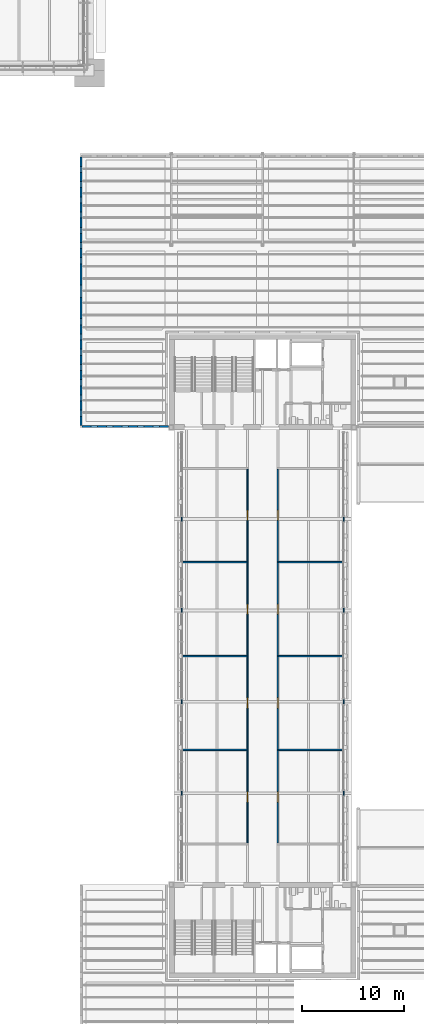
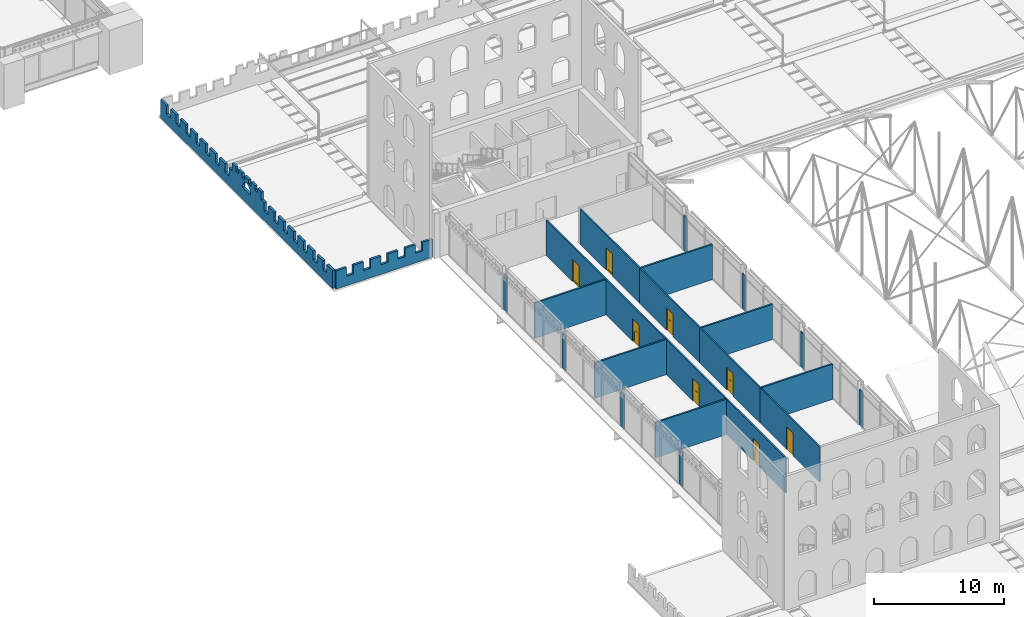
# One storey, part 106 of 153: 24 walls, 8 doors, 8 openings.
"""IFC4 building model written with IfcOpenShell, lengths in metres."""

from ifc_helpers import new_model, si_unit, direction, frame, frame_2d, origin, place, context, subcontext, project, spatial, polyline, rectangle, outline, extrude, material, layer, layer_set, type_object, element, fill, save


model = new_model("IFC4")

# Units and contexts
model_context = context("Model", 3, precision=1e-05, world=origin(), true_north=direction((0.0, 1.0)))
body_context = subcontext(model_context, "Body", "Model", "MODEL_VIEW")
ifc_project = project(units=[si_unit("LENGTHUNIT", "METRE"), si_unit("AREAUNIT", "SQUARE_METRE"), si_unit("VOLUMEUNIT", "CUBIC_METRE"), si_unit("PLANEANGLEUNIT", "RADIAN"), si_unit("MASSUNIT", "GRAM", prefix="KILO")], contexts=[model_context])

# Site, building, storey
site_placement = place(None, origin())
site = spatial("IfcSite", under=ifc_project, at=site_placement, CompositionType="ELEMENT")
building_placement = place(site_placement, origin())
building = spatial("IfcBuilding", under=site, at=building_placement, Name="Baradari Gate Terminus", CompositionType="ELEMENT")
storey_placement = place(building_placement, frame((0.0, 0.0, 11.699951171875)))
storey = spatial("IfcBuildingStorey", under=building, at=storey_placement, Name="L02", CompositionType="ELEMENT", Elevation=11.699951171875)

# Wall, opening, door
ifc_material_1 = material(Name="Gypsum board")
ifc_layer_1 = layer(ifc_material_1, 0.125)
ifc_layer_set_1 = layer_set([ifc_layer_1], Name="Gypsum board")
wall_type_1 = type_object("IfcWallType", Name="Corridor partition PT-5 125 EI 30", PredefinedType="PARTITIONING", material=ifc_layer_set_1)
wall_1_placement = place(storey_placement, frame((79.5, 40.10009765625, 0.0), z_axis=(0.0, 0.0, 1.0), x_axis=(0.0, 1.0, 0.0)))
wall_1 = element("IfcWall", 1, at=wall_1_placement, inside=storey, type_object=wall_type_1, Name="PT-5 partition Corridor (Gate Spine) / Gate Office 2.01", PredefinedType="PARTITIONING", context=body_context, shape_type="SweptSolid", body=[
    extrude(rectangle(XDim=9.14990234375, YDim=0.125, at=frame_2d((4.574951171875, 0.0))), origin(), (0.0, 0.0, 1.0), 3.287109375),
])
opening_1_placement = place(wall_1_placement, frame((4.02490234375, 0.0, 0.0)))
opening_1 = element("IfcOpeningElement", 2, at=opening_1_placement, cuts=wall_1, Name="Opening D02-043", PredefinedType="OPENING", context=body_context, shape_type="SweptSolid", body=[
    extrude(rectangle(XDim=1.0, YDim=2.10009765625, at=frame_2d((0.5, 1.050048828125))), frame((0.0, 0.072509765625, 0.0), z_axis=(0.0, -1.0, 0.0), x_axis=(1.0, 0.0, 0.0)), (0.0, 0.0, 1.0), 0.14501953125),
])
ifc_material_2 = material(Name="Steel S275", Category="steel")
door_type_1 = type_object("IfcDoorType", Name="Fire door FI-1000-FD30S 1000x2100 FD30S", OperationType="SINGLE_SWING_LEFT", PredefinedType="DOOR", material=ifc_material_2)
door_1_placement = place(opening_1_placement, origin())
door_1 = element("IfcDoor", 3, at=door_1_placement, inside=storey, type_object=door_type_1, Name="Door Gate Office 2.01", OperationType="SINGLE_SWING_LEFT", OverallHeight=2.1, OverallWidth=1.0, PredefinedType="DOOR", context=body_context, shape_type="SweptSolid", body=[
    extrude(outline(polyline([(0.0, 0.0), (0.070068359375, 0.0), (0.070068359375, 2.030029296875), (0.929931640625, 2.030029296875), (0.929931640625, 0.0), (1.0, 0.0), (1.0, 2.10009765625), (0.0, 2.10009765625), (0.0, 0.0)])), frame((0.0, 0.02490234375, 0.0), z_axis=(0.0, -1.0, 0.0), x_axis=(1.0, 0.0, 0.0)), (0.0, 0.0, 1.0), 0.050048828125),
    extrude(outline(polyline([(0.073974609375, 0.010009765625), (0.926025390625, 0.010009765625), (0.926025390625, 2.026123046875), (0.073974609375, 2.026123046875), (0.073974609375, 0.010009765625)]), holes=[polyline([(0.194091796875, 0.159912109375), (0.805908203125, 0.159912109375), (0.805908203125, 1.010009765625), (0.194091796875, 1.010009765625), (0.194091796875, 0.159912109375)]), polyline([(0.35009765625, 1.159912109375), (0.64990234375, 1.159912109375), (0.64990234375, 1.760009765625), (0.35009765625, 1.760009765625), (0.35009765625, 1.159912109375)])]), frame((0.0, 0.017333984375, 0.0), z_axis=(0.0, -1.0, 0.0), x_axis=(1.0, 0.0, 0.0)), (0.0, 0.0, 1.0), 0.034912109375),
    extrude(rectangle(XDim=0.61181640625, YDim=0.85009765625, at=frame_2d((0.5, 0.5849609375))), frame((0.0, 0.008544921875, 0.0), z_axis=(0.0, -1.0, 0.0), x_axis=(1.0, 0.0, 0.0)), (0.0, 0.0, 1.0), 0.017333984375),
    extrude(rectangle(XDim=0.2998046875, YDim=0.60009765625, at=frame_2d((0.5, 1.4599609375))), frame((0.0, 0.005859375, 0.0), z_axis=(0.0, -1.0, 0.0), x_axis=(1.0, 0.0, 0.0)), (0.0, 0.0, 1.0), 0.011962890625),
])
fill(opening_1, door_1)

wall_2_placement = place(storey_placement, frame((79.5, 49.25, 0.0), z_axis=(0.0, 0.0, 1.0), x_axis=(0.0, 1.0, 0.0)))
wall_2 = element("IfcWall", 4, at=wall_2_placement, inside=storey, type_object=wall_type_1, Name="PT-5 partition Corridor (Gate Spine) / Gate Office 2.02", PredefinedType="PARTITIONING", context=body_context, shape_type="SweptSolid", body=[
    extrude(rectangle(XDim=9.25, YDim=0.125, at=frame_2d((4.625, 0.0))), origin(), (0.0, 0.0, 1.0), 3.287109375),
])
opening_2_placement = place(wall_2_placement, frame((4.125, 0.0, 0.0)))
opening_2 = element("IfcOpeningElement", 5, at=opening_2_placement, cuts=wall_2, Name="Opening D02-044", PredefinedType="OPENING", context=body_context, shape_type="SweptSolid", body=[
    extrude(rectangle(XDim=1.0, YDim=2.10009765625, at=frame_2d((0.5, 1.050048828125))), frame((0.0, 0.072509765625, 0.0), z_axis=(0.0, -1.0, 0.0), x_axis=(1.0, 0.0, 0.0)), (0.0, 0.0, 1.0), 0.14501953125),
])
door_2_placement = place(opening_2_placement, origin())
door_2 = element("IfcDoor", 6, at=door_2_placement, inside=storey, type_object=door_type_1, Name="Door Gate Office 2.02", OperationType="SINGLE_SWING_LEFT", OverallHeight=2.1, OverallWidth=1.0, PredefinedType="DOOR", context=body_context, shape_type="SweptSolid", body=[
    extrude(outline(polyline([(0.0, 0.0), (0.070068359375, 0.0), (0.070068359375, 2.030029296875), (0.929931640625, 2.030029296875), (0.929931640625, 0.0), (1.0, 0.0), (1.0, 2.10009765625), (0.0, 2.10009765625), (0.0, 0.0)])), frame((0.0, 0.02490234375, 0.0), z_axis=(0.0, -1.0, 0.0), x_axis=(1.0, 0.0, 0.0)), (0.0, 0.0, 1.0), 0.050048828125),
    extrude(outline(polyline([(0.073974609375, 0.010009765625), (0.926025390625, 0.010009765625), (0.926025390625, 2.026123046875), (0.073974609375, 2.026123046875), (0.073974609375, 0.010009765625)]), holes=[polyline([(0.194091796875, 0.159912109375), (0.805908203125, 0.159912109375), (0.805908203125, 1.010009765625), (0.194091796875, 1.010009765625), (0.194091796875, 0.159912109375)]), polyline([(0.35009765625, 1.159912109375), (0.64990234375, 1.159912109375), (0.64990234375, 1.760009765625), (0.35009765625, 1.760009765625), (0.35009765625, 1.159912109375)])]), frame((0.0, 0.017333984375, 0.0), z_axis=(0.0, -1.0, 0.0), x_axis=(1.0, 0.0, 0.0)), (0.0, 0.0, 1.0), 0.034912109375),
    extrude(rectangle(XDim=0.61181640625, YDim=0.85009765625, at=frame_2d((0.5, 0.5849609375))), frame((0.0, 0.008544921875, 0.0), z_axis=(0.0, -1.0, 0.0), x_axis=(1.0, 0.0, 0.0)), (0.0, 0.0, 1.0), 0.017333984375),
    extrude(rectangle(XDim=0.2998046875, YDim=0.60009765625, at=frame_2d((0.5, 1.4599609375))), frame((0.0, 0.005859375, 0.0), z_axis=(0.0, -1.0, 0.0), x_axis=(1.0, 0.0, 0.0)), (0.0, 0.0, 1.0), 0.011962890625),
])
fill(opening_2, door_2)

wall_3_placement = place(storey_placement, frame((79.5, 58.5, 0.0), z_axis=(0.0, 0.0, 1.0), x_axis=(0.0, 1.0, 0.0)))
wall_3 = element("IfcWall", 7, at=wall_3_placement, inside=storey, type_object=wall_type_1, Name="PT-5 partition Corridor (Gate Spine) / Gate Office 2.03", PredefinedType="PARTITIONING", context=body_context, shape_type="SweptSolid", body=[
    extrude(rectangle(XDim=9.25, YDim=0.125, at=frame_2d((4.625, 0.0))), origin(), (0.0, 0.0, 1.0), 3.287109375),
])
opening_3_placement = place(wall_3_placement, frame((4.125, 0.0, 0.0)))
opening_3 = element("IfcOpeningElement", 8, at=opening_3_placement, cuts=wall_3, Name="Opening D02-045", PredefinedType="OPENING", context=body_context, shape_type="SweptSolid", body=[
    extrude(rectangle(XDim=1.0, YDim=2.10009765625, at=frame_2d((0.5, 1.050048828125))), frame((0.0, 0.072509765625, 0.0), z_axis=(0.0, -1.0, 0.0), x_axis=(1.0, 0.0, 0.0)), (0.0, 0.0, 1.0), 0.14501953125),
])
door_3_placement = place(opening_3_placement, origin())
door_3 = element("IfcDoor", 9, at=door_3_placement, inside=storey, type_object=door_type_1, Name="Door Gate Office 2.03", OperationType="SINGLE_SWING_LEFT", OverallHeight=2.1, OverallWidth=1.0, PredefinedType="DOOR", context=body_context, shape_type="SweptSolid", body=[
    extrude(outline(polyline([(0.0, 0.0), (0.070068359375, 0.0), (0.070068359375, 2.030029296875), (0.929931640625, 2.030029296875), (0.929931640625, 0.0), (1.0, 0.0), (1.0, 2.10009765625), (0.0, 2.10009765625), (0.0, 0.0)])), frame((0.0, 0.02490234375, 0.0), z_axis=(0.0, -1.0, 0.0), x_axis=(1.0, 0.0, 0.0)), (0.0, 0.0, 1.0), 0.050048828125),
    extrude(outline(polyline([(0.073974609375, 0.010009765625), (0.926025390625, 0.010009765625), (0.926025390625, 2.026123046875), (0.073974609375, 2.026123046875), (0.073974609375, 0.010009765625)]), holes=[polyline([(0.194091796875, 0.159912109375), (0.805908203125, 0.159912109375), (0.805908203125, 1.010009765625), (0.194091796875, 1.010009765625), (0.194091796875, 0.159912109375)]), polyline([(0.35009765625, 1.159912109375), (0.64990234375, 1.159912109375), (0.64990234375, 1.760009765625), (0.35009765625, 1.760009765625), (0.35009765625, 1.159912109375)])]), frame((0.0, 0.017333984375, 0.0), z_axis=(0.0, -1.0, 0.0), x_axis=(1.0, 0.0, 0.0)), (0.0, 0.0, 1.0), 0.034912109375),
    extrude(rectangle(XDim=0.61181640625, YDim=0.85009765625, at=frame_2d((0.5, 0.5849609375))), frame((0.0, 0.008544921875, 0.0), z_axis=(0.0, -1.0, 0.0), x_axis=(1.0, 0.0, 0.0)), (0.0, 0.0, 1.0), 0.017333984375),
    extrude(rectangle(XDim=0.2998046875, YDim=0.60009765625, at=frame_2d((0.5, 1.4599609375))), frame((0.0, 0.005859375, 0.0), z_axis=(0.0, -1.0, 0.0), x_axis=(1.0, 0.0, 0.0)), (0.0, 0.0, 1.0), 0.011962890625),
])
fill(opening_3, door_3)

wall_4_placement = place(storey_placement, frame((79.5, 67.75, 0.0), z_axis=(0.0, 0.0, 1.0), x_axis=(0.0, 1.0, 0.0)))
wall_4 = element("IfcWall", 10, at=wall_4_placement, inside=storey, type_object=wall_type_1, Name="PT-5 partition Corridor (Gate Spine) / Gate Office 2.04", PredefinedType="PARTITIONING", context=body_context, shape_type="SweptSolid", body=[
    extrude(rectangle(XDim=9.14990234375, YDim=0.125, at=frame_2d((4.574951171875, 0.0))), origin(), (0.0, 0.0, 1.0), 3.287109375),
])
opening_4_placement = place(wall_4_placement, frame((4.125, 0.0, 0.0)))
opening_4 = element("IfcOpeningElement", 11, at=opening_4_placement, cuts=wall_4, Name="Opening D02-046", PredefinedType="OPENING", context=body_context, shape_type="SweptSolid", body=[
    extrude(rectangle(XDim=1.0, YDim=2.10009765625, at=frame_2d((0.5, 1.050048828125))), frame((0.0, 0.072509765625, 0.0), z_axis=(0.0, -1.0, 0.0), x_axis=(1.0, 0.0, 0.0)), (0.0, 0.0, 1.0), 0.14501953125),
])
door_4_placement = place(opening_4_placement, origin())
door_4 = element("IfcDoor", 12, at=door_4_placement, inside=storey, type_object=door_type_1, Name="Door Gate Office 2.04", OperationType="SINGLE_SWING_LEFT", OverallHeight=2.1, OverallWidth=1.0, PredefinedType="DOOR", context=body_context, shape_type="SweptSolid", body=[
    extrude(outline(polyline([(0.0, 0.0), (0.070068359375, 0.0), (0.070068359375, 2.030029296875), (0.929931640625, 2.030029296875), (0.929931640625, 0.0), (1.0, 0.0), (1.0, 2.10009765625), (0.0, 2.10009765625), (0.0, 0.0)])), frame((0.0, 0.02490234375, 0.0), z_axis=(0.0, -1.0, 0.0), x_axis=(1.0, 0.0, 0.0)), (0.0, 0.0, 1.0), 0.050048828125),
    extrude(outline(polyline([(0.073974609375, 0.010009765625), (0.926025390625, 0.010009765625), (0.926025390625, 2.026123046875), (0.073974609375, 2.026123046875), (0.073974609375, 0.010009765625)]), holes=[polyline([(0.194091796875, 0.159912109375), (0.805908203125, 0.159912109375), (0.805908203125, 1.010009765625), (0.194091796875, 1.010009765625), (0.194091796875, 0.159912109375)]), polyline([(0.35009765625, 1.159912109375), (0.64990234375, 1.159912109375), (0.64990234375, 1.760009765625), (0.35009765625, 1.760009765625), (0.35009765625, 1.159912109375)])]), frame((0.0, 0.017333984375, 0.0), z_axis=(0.0, -1.0, 0.0), x_axis=(1.0, 0.0, 0.0)), (0.0, 0.0, 1.0), 0.034912109375),
    extrude(rectangle(XDim=0.61181640625, YDim=0.85009765625, at=frame_2d((0.5, 0.5849609375))), frame((0.0, 0.008544921875, 0.0), z_axis=(0.0, -1.0, 0.0), x_axis=(1.0, 0.0, 0.0)), (0.0, 0.0, 1.0), 0.017333984375),
    extrude(rectangle(XDim=0.2998046875, YDim=0.60009765625, at=frame_2d((0.5, 1.4599609375))), frame((0.0, 0.005859375, 0.0), z_axis=(0.0, -1.0, 0.0), x_axis=(1.0, 0.0, 0.0)), (0.0, 0.0, 1.0), 0.011962890625),
])
fill(opening_4, door_4)

wall_5_placement = place(storey_placement, frame((82.5, 49.25, 0.0), z_axis=(0.0, 0.0, 1.0), x_axis=(0.0, -1.0, 0.0)))
wall_5 = element("IfcWall", 13, at=wall_5_placement, inside=storey, type_object=wall_type_1, Name="PT-5 partition Corridor (Gate Spine) / Gate Office 2.05", PredefinedType="PARTITIONING", context=body_context, shape_type="SweptSolid", body=[
    extrude(rectangle(XDim=9.14990234375, YDim=0.125, at=frame_2d((4.574951171875, 0.0))), origin(), (0.0, 0.0, 1.0), 3.287109375),
])
opening_5_placement = place(wall_5_placement, frame((4.125, 0.0, 0.0)))
opening_5 = element("IfcOpeningElement", 14, at=opening_5_placement, cuts=wall_5, Name="Opening D02-047", PredefinedType="OPENING", context=body_context, shape_type="SweptSolid", body=[
    extrude(rectangle(XDim=1.0, YDim=2.10009765625, at=frame_2d((0.5, 1.050048828125))), frame((0.0, 0.072509765625, 0.0), z_axis=(0.0, -1.0, 0.0), x_axis=(1.0, 0.0, 0.0)), (0.0, 0.0, 1.0), 0.14501953125),
])
door_5_placement = place(opening_5_placement, origin())
door_5 = element("IfcDoor", 15, at=door_5_placement, inside=storey, type_object=door_type_1, Name="Door Gate Office 2.05", OperationType="SINGLE_SWING_LEFT", OverallHeight=2.1, OverallWidth=1.0, PredefinedType="DOOR", context=body_context, shape_type="SweptSolid", body=[
    extrude(outline(polyline([(0.0, 0.0), (0.070068359375, 0.0), (0.070068359375, 2.030029296875), (0.929931640625, 2.030029296875), (0.929931640625, 0.0), (1.0, 0.0), (1.0, 2.10009765625), (0.0, 2.10009765625), (0.0, 0.0)])), frame((0.0, 0.02490234375, 0.0), z_axis=(0.0, -1.0, 0.0), x_axis=(1.0, 0.0, 0.0)), (0.0, 0.0, 1.0), 0.050048828125),
    extrude(outline(polyline([(0.073974609375, 0.010009765625), (0.926025390625, 0.010009765625), (0.926025390625, 2.026123046875), (0.073974609375, 2.026123046875), (0.073974609375, 0.010009765625)]), holes=[polyline([(0.194091796875, 0.159912109375), (0.805908203125, 0.159912109375), (0.805908203125, 1.010009765625), (0.194091796875, 1.010009765625), (0.194091796875, 0.159912109375)]), polyline([(0.35009765625, 1.159912109375), (0.64990234375, 1.159912109375), (0.64990234375, 1.760009765625), (0.35009765625, 1.760009765625), (0.35009765625, 1.159912109375)])]), frame((0.0, 0.017333984375, 0.0), z_axis=(0.0, -1.0, 0.0), x_axis=(1.0, 0.0, 0.0)), (0.0, 0.0, 1.0), 0.034912109375),
    extrude(rectangle(XDim=0.61181640625, YDim=0.85009765625, at=frame_2d((0.5, 0.5849609375))), frame((0.0, 0.008544921875, 0.0), z_axis=(0.0, -1.0, 0.0), x_axis=(1.0, 0.0, 0.0)), (0.0, 0.0, 1.0), 0.017333984375),
    extrude(rectangle(XDim=0.2998046875, YDim=0.60009765625, at=frame_2d((0.5, 1.4599609375))), frame((0.0, 0.005859375, 0.0), z_axis=(0.0, -1.0, 0.0), x_axis=(1.0, 0.0, 0.0)), (0.0, 0.0, 1.0), 0.011962890625),
])
fill(opening_5, door_5)

wall_6_placement = place(storey_placement, frame((82.5, 58.5, 0.0), z_axis=(0.0, 0.0, 1.0), x_axis=(0.0, -1.0, 0.0)))
wall_6 = element("IfcWall", 16, at=wall_6_placement, inside=storey, type_object=wall_type_1, Name="PT-5 partition Corridor (Gate Spine) / Gate Meeting Room 2", PredefinedType="PARTITIONING", context=body_context, shape_type="SweptSolid", body=[
    extrude(rectangle(XDim=9.25, YDim=0.125, at=frame_2d((4.625, 0.0))), origin(), (0.0, 0.0, 1.0), 3.287109375),
])
opening_6_placement = place(wall_6_placement, frame((4.10009765625, 0.0, 0.0)))
opening_6 = element("IfcOpeningElement", 17, at=opening_6_placement, cuts=wall_6, Name="Opening D02-048", PredefinedType="OPENING", context=body_context, shape_type="SweptSolid", body=[
    extrude(rectangle(XDim=1.050048828125, YDim=2.10009765625, at=frame_2d((0.52490234375, 1.050048828125))), frame((0.0, 0.072509765625, 0.0), z_axis=(0.0, -1.0, 0.0), x_axis=(1.0, 0.0, 0.0)), (0.0, 0.0, 1.0), 0.14501953125),
])
ifc_material_3 = material(Name="Steel S275", Category="steel")
door_type_2 = type_object("IfcDoorType", Name="Fire door FI-1050-FD30S 1050x2100 FD30S", OperationType="SINGLE_SWING_LEFT", PredefinedType="DOOR", material=ifc_material_3)
door_6_placement = place(opening_6_placement, origin())
door_6 = element("IfcDoor", 18, at=door_6_placement, inside=storey, type_object=door_type_2, Name="Door Gate Meeting Room 2", OperationType="SINGLE_SWING_LEFT", OverallHeight=2.1, OverallWidth=1.05, PredefinedType="DOOR", context=body_context, shape_type="SweptSolid", body=[
    extrude(outline(polyline([(0.0, 0.0), (0.070068359375, 0.0), (0.070068359375, 2.030029296875), (0.97998046875, 2.030029296875), (0.97998046875, 0.0), (1.050048828125, 0.0), (1.050048828125, 2.10009765625), (0.0, 2.10009765625), (0.0, 0.0)])), frame((0.0, 0.02490234375, 0.0), z_axis=(0.0, -1.0, 0.0), x_axis=(1.0, 0.0, 0.0)), (0.0, 0.0, 1.0), 0.050048828125),
    extrude(outline(polyline([(0.073974609375, 0.010009765625), (0.97607421875, 0.010009765625), (0.97607421875, 2.026123046875), (0.073974609375, 2.026123046875), (0.073974609375, 0.010009765625)]), holes=[polyline([(0.194091796875, 0.159912109375), (0.85595703125, 0.159912109375), (0.85595703125, 1.010009765625), (0.194091796875, 1.010009765625), (0.194091796875, 0.159912109375)]), polyline([(0.375, 1.159912109375), (0.675048828125, 1.159912109375), (0.675048828125, 1.760009765625), (0.375, 1.760009765625), (0.375, 1.159912109375)])]), frame((0.0, 0.017333984375, 0.0), z_axis=(0.0, -1.0, 0.0), x_axis=(1.0, 0.0, 0.0)), (0.0, 0.0, 1.0), 0.034912109375),
    extrude(rectangle(XDim=0.661865234375, YDim=0.85009765625, at=frame_2d((0.52490234375, 0.5849609375))), frame((0.0, 0.008544921875, 0.0), z_axis=(0.0, -1.0, 0.0), x_axis=(1.0, 0.0, 0.0)), (0.0, 0.0, 1.0), 0.017333984375),
    extrude(rectangle(XDim=0.300048828125, YDim=0.60009765625, at=frame_2d((0.52490234375, 1.4599609375))), frame((0.0, 0.005859375, 0.0), z_axis=(0.0, -1.0, 0.0), x_axis=(1.0, 0.0, 0.0)), (0.0, 0.0, 1.0), 0.011962890625),
])
fill(opening_6, door_6)

wall_7_placement = place(storey_placement, frame((82.5, 67.75, 0.0), z_axis=(0.0, 0.0, 1.0), x_axis=(0.0, -1.0, 0.0)))
wall_7 = element("IfcWall", 19, at=wall_7_placement, inside=storey, type_object=wall_type_1, Name="PT-5 partition Corridor (Gate Spine) / Gate Office 2.07", PredefinedType="PARTITIONING", context=body_context, shape_type="SweptSolid", body=[
    extrude(rectangle(XDim=9.25, YDim=0.125, at=frame_2d((4.625, 0.0))), origin(), (0.0, 0.0, 1.0), 3.287109375),
])
opening_7_placement = place(wall_7_placement, frame((4.125, 0.0, 0.0)))
opening_7 = element("IfcOpeningElement", 20, at=opening_7_placement, cuts=wall_7, Name="Opening D02-049", PredefinedType="OPENING", context=body_context, shape_type="SweptSolid", body=[
    extrude(rectangle(XDim=1.0, YDim=2.10009765625, at=frame_2d((0.5, 1.050048828125))), frame((0.0, 0.072509765625, 0.0), z_axis=(0.0, -1.0, 0.0), x_axis=(1.0, 0.0, 0.0)), (0.0, 0.0, 1.0), 0.14501953125),
])
door_7_placement = place(opening_7_placement, origin())
door_7 = element("IfcDoor", 21, at=door_7_placement, inside=storey, type_object=door_type_1, Name="Door Gate Office 2.07", OperationType="SINGLE_SWING_LEFT", OverallHeight=2.1, OverallWidth=1.0, PredefinedType="DOOR", context=body_context, shape_type="SweptSolid", body=[
    extrude(outline(polyline([(0.0, 0.0), (0.070068359375, 0.0), (0.070068359375, 2.030029296875), (0.929931640625, 2.030029296875), (0.929931640625, 0.0), (1.0, 0.0), (1.0, 2.10009765625), (0.0, 2.10009765625), (0.0, 0.0)])), frame((0.0, 0.02490234375, 0.0), z_axis=(0.0, -1.0, 0.0), x_axis=(1.0, 0.0, 0.0)), (0.0, 0.0, 1.0), 0.050048828125),
    extrude(outline(polyline([(0.073974609375, 0.010009765625), (0.926025390625, 0.010009765625), (0.926025390625, 2.026123046875), (0.073974609375, 2.026123046875), (0.073974609375, 0.010009765625)]), holes=[polyline([(0.194091796875, 0.159912109375), (0.805908203125, 0.159912109375), (0.805908203125, 1.010009765625), (0.194091796875, 1.010009765625), (0.194091796875, 0.159912109375)]), polyline([(0.35009765625, 1.159912109375), (0.64990234375, 1.159912109375), (0.64990234375, 1.760009765625), (0.35009765625, 1.760009765625), (0.35009765625, 1.159912109375)])]), frame((0.0, 0.017333984375, 0.0), z_axis=(0.0, -1.0, 0.0), x_axis=(1.0, 0.0, 0.0)), (0.0, 0.0, 1.0), 0.034912109375),
    extrude(rectangle(XDim=0.61181640625, YDim=0.85009765625, at=frame_2d((0.5, 0.5849609375))), frame((0.0, 0.008544921875, 0.0), z_axis=(0.0, -1.0, 0.0), x_axis=(1.0, 0.0, 0.0)), (0.0, 0.0, 1.0), 0.017333984375),
    extrude(rectangle(XDim=0.2998046875, YDim=0.60009765625, at=frame_2d((0.5, 1.4599609375))), frame((0.0, 0.005859375, 0.0), z_axis=(0.0, -1.0, 0.0), x_axis=(1.0, 0.0, 0.0)), (0.0, 0.0, 1.0), 0.011962890625),
])
fill(opening_7, door_7)

wall_8_placement = place(storey_placement, frame((82.5, 76.89990234375, 0.0), z_axis=(0.0, 0.0, 1.0), x_axis=(0.0, -1.0, 0.0)))
wall_8 = element("IfcWall", 22, at=wall_8_placement, inside=storey, type_object=wall_type_1, Name="PT-5 partition Corridor (Gate Spine) / Gate Office 2.08", PredefinedType="PARTITIONING", context=body_context, shape_type="SweptSolid", body=[
    extrude(rectangle(XDim=9.14990234375, YDim=0.125, at=frame_2d((4.574951171875, 0.0))), origin(), (0.0, 0.0, 1.0), 3.287109375),
])
opening_8_placement = place(wall_8_placement, frame((4.02490234375, 0.0, 0.0)))
opening_8 = element("IfcOpeningElement", 23, at=opening_8_placement, cuts=wall_8, Name="Opening D02-050", PredefinedType="OPENING", context=body_context, shape_type="SweptSolid", body=[
    extrude(rectangle(XDim=1.0, YDim=2.10009765625, at=frame_2d((0.5, 1.050048828125))), frame((0.0, 0.072509765625, 0.0), z_axis=(0.0, -1.0, 0.0), x_axis=(1.0, 0.0, 0.0)), (0.0, 0.0, 1.0), 0.14501953125),
])
door_8_placement = place(opening_8_placement, origin())
door_8 = element("IfcDoor", 24, at=door_8_placement, inside=storey, type_object=door_type_1, Name="Door Gate Office 2.08", OperationType="SINGLE_SWING_LEFT", OverallHeight=2.1, OverallWidth=1.0, PredefinedType="DOOR", context=body_context, shape_type="SweptSolid", body=[
    extrude(outline(polyline([(0.0, 0.0), (0.070068359375, 0.0), (0.070068359375, 2.030029296875), (0.929931640625, 2.030029296875), (0.929931640625, 0.0), (1.0, 0.0), (1.0, 2.10009765625), (0.0, 2.10009765625), (0.0, 0.0)])), frame((0.0, 0.02490234375, 0.0), z_axis=(0.0, -1.0, 0.0), x_axis=(1.0, 0.0, 0.0)), (0.0, 0.0, 1.0), 0.050048828125),
    extrude(outline(polyline([(0.073974609375, 0.010009765625), (0.926025390625, 0.010009765625), (0.926025390625, 2.026123046875), (0.073974609375, 2.026123046875), (0.073974609375, 0.010009765625)]), holes=[polyline([(0.194091796875, 0.159912109375), (0.805908203125, 0.159912109375), (0.805908203125, 1.010009765625), (0.194091796875, 1.010009765625), (0.194091796875, 0.159912109375)]), polyline([(0.35009765625, 1.159912109375), (0.64990234375, 1.159912109375), (0.64990234375, 1.760009765625), (0.35009765625, 1.760009765625), (0.35009765625, 1.159912109375)])]), frame((0.0, 0.017333984375, 0.0), z_axis=(0.0, -1.0, 0.0), x_axis=(1.0, 0.0, 0.0)), (0.0, 0.0, 1.0), 0.034912109375),
    extrude(rectangle(XDim=0.61181640625, YDim=0.85009765625, at=frame_2d((0.5, 0.5849609375))), frame((0.0, 0.008544921875, 0.0), z_axis=(0.0, -1.0, 0.0), x_axis=(1.0, 0.0, 0.0)), (0.0, 0.0, 1.0), 0.017333984375),
    extrude(rectangle(XDim=0.2998046875, YDim=0.60009765625, at=frame_2d((0.5, 1.4599609375))), frame((0.0, 0.005859375, 0.0), z_axis=(0.0, -1.0, 0.0), x_axis=(1.0, 0.0, 0.0)), (0.0, 0.0, 1.0), 0.011962890625),
])
fill(opening_8, door_8)

# Walls
ifc_material_4 = material(Name="Concrete C32/40 precast", Category="concrete")
ifc_layer_2 = layer(ifc_material_4, 0.199951171875)
ifc_layer_set_2 = layer_set([ifc_layer_2], Name="Concrete C32/40 precast")
wall_type_2 = type_object("IfcWallType", Name="Parapet PW-6 200x2400 wing crown", PredefinedType="PARAPET", material=ifc_layer_set_2)
wall_9_placement = place(storey_placement, frame((63.199951171875, 81.125, 0.0), z_axis=(0.0, 0.0, 1.0), x_axis=(1.0, 0.0, 0.0)))
element("IfcWall", 25, at=wall_9_placement, inside=storey, type_object=wall_type_2, Name="Head-house roof parapet PR-H3 1 1", PredefinedType="PARAPET", context=body_context, shape_type="SweptSolid", body=[
    extrude(outline(polyline([(0.0, 0.0), (8.550048828125, 0.0), (8.550048828125, 1.699951171875), (7.64990234375, 1.699951171875), (7.64990234375, 0.900146484375), (7.02001953125, 0.900146484375), (7.02001953125, 1.699951171875), (6.1201171875, 1.699951171875), (6.1201171875, 0.900146484375), (5.489990234375, 0.900146484375), (5.489990234375, 1.699951171875), (4.590087890625, 1.699951171875), (4.590087890625, 0.900146484375), (3.9599609375, 0.900146484375), (3.9599609375, 1.699951171875), (3.06005859375, 1.699951171875), (3.06005859375, 0.900146484375), (2.429931640625, 0.900146484375), (2.429931640625, 1.699951171875), (1.530029296875, 1.699951171875), (1.530029296875, 0.900146484375), (0.89990234375, 0.900146484375), (0.89990234375, 1.699951171875), (0.0, 1.699951171875), (0.0, 0.0)])), frame((0.0, 0.10009765625, 0.0), z_axis=(0.0, -1.0, 0.0), x_axis=(1.0, 0.0, 0.0)), (0.0, 0.0, 1.0), 0.199951171875),
])
wall_10_placement = place(storey_placement, frame((63.10009765625, 81.22509765625, 0.0), z_axis=(0.0, 0.0, 1.0), x_axis=(0.0, 1.0, 0.0)))
element("IfcWall", 26, at=wall_10_placement, inside=storey, type_object=wall_type_2, Name="Head-house roof parapet PR-H4 1 1", PredefinedType="PARAPET", context=body_context, shape_type="SweptSolid", body=[
    extrude(outline(polyline([(6.90673828125, 0.900146484375), (6.90673828125, 1.699951171875), (6.006591796875, 1.699951171875), (6.006591796875, 0.900146484375), (5.405029296875, 0.900146484375), (5.405029296875, 1.699951171875), (4.5048828125, 1.699951171875), (4.5048828125, 0.900146484375), (3.9033203125, 0.900146484375), (3.9033203125, 1.699951171875), (3.00341796875, 1.699951171875), (3.00341796875, 0.900146484375), (2.401611328125, 0.900146484375), (2.401611328125, 1.699951171875), (1.501708984375, 1.699951171875), (1.501708984375, 0.900146484375), (0.89990234375, 0.900146484375), (0.89990234375, 1.699951171875), (0.0, 1.699951171875), (0.0, 0.0), (26.428466796875, 0.0), (26.428466796875, 1.699951171875), (25.528564453125, 1.699951171875), (25.528564453125, 0.900146484375), (24.9267578125, 0.900146484375), (24.9267578125, 1.699951171875), (24.02685546875, 1.699951171875), (24.02685546875, 0.900146484375), (23.425048828125, 0.900146484375), (23.425048828125, 1.699951171875), (22.525146484375, 1.699951171875), (22.525146484375, 0.900146484375), (21.923583984375, 0.900146484375), (21.923583984375, 1.699951171875), (21.0234375, 1.699951171875), (21.0234375, 0.900146484375), (20.421875, 0.900146484375), (20.421875, 1.699951171875), (19.521728515625, 1.699951171875), (19.521728515625, 0.900146484375), (18.920166015625, 0.900146484375), (18.920166015625, 1.699951171875), (18.02001953125, 1.699951171875), (18.02001953125, 0.900146484375), (17.41845703125, 0.900146484375), (17.41845703125, 1.699951171875), (16.518310546875, 1.699951171875), (16.518310546875, 0.900146484375), (15.916748046875, 0.900146484375), (15.916748046875, 1.699951171875), (15.46435546875, 1.699951171875), (15.46435546875, 2.400146484375), (14.8642578125, 2.400146484375), (14.8642578125, 2.0), (14.4892578125, 2.0), (14.4892578125, 2.400146484375), (13.889404296875, 2.400146484375), (13.889404296875, 2.0), (13.514404296875, 2.0), (13.514404296875, 2.400146484375), (12.914306640625, 2.400146484375), (12.914306640625, 2.0), (12.539306640625, 2.0), (12.539306640625, 2.400146484375), (11.939208984375, 2.400146484375), (11.939208984375, 2.0), (11.564208984375, 2.0), (11.564208984375, 2.400146484375), (10.96435546875, 2.400146484375), (10.96435546875, 1.699951171875), (10.51171875, 1.699951171875), (10.51171875, 0.900146484375), (9.91015625, 0.900146484375), (9.91015625, 1.699951171875), (9.010009765625, 1.699951171875), (9.010009765625, 0.900146484375), (8.408447265625, 0.900146484375), (8.408447265625, 1.699951171875), (7.50830078125, 1.699951171875), (7.50830078125, 0.900146484375), (6.90673828125, 0.900146484375)]), holes=[polyline([(12.6142578125, 1.10009765625), (12.6142578125, 1.199951171875), (12.619140625, 1.283447265625), (12.6337890625, 1.365966796875), (12.658203125, 1.44580078125), (12.69189453125, 1.5224609375), (12.734130859375, 1.594482421875), (12.784912109375, 1.6611328125), (12.8427734375, 1.72119140625), (12.90771484375, 1.774169921875), (12.97802734375, 1.81884765625), (13.053466796875, 1.855224609375), (13.132568359375, 1.882568359375), (13.21435546875, 1.900146484375), (13.2958984375, 1.882568359375), (13.375, 1.855224609375), (13.450439453125, 1.81884765625), (13.52099609375, 1.774169921875), (13.585693359375, 1.72119140625), (13.643798828125, 1.6611328125), (13.6943359375, 1.594482421875), (13.73681640625, 1.5224609375), (13.770263671875, 1.44580078125), (13.794677734375, 1.365966796875), (13.809326171875, 1.283447265625), (13.814208984375, 1.199951171875), (13.814208984375, 1.10009765625), (12.6142578125, 1.10009765625)])]), frame((0.0, 0.10009765625, 0.0), z_axis=(0.0, -1.0, 0.0), x_axis=(1.0, 0.0, 0.0)), (0.0, 0.0, 1.0), 0.199951171875),
])
ifc_material_5 = material(Name="Blockwork wall, plastered", Category="masonry")
ifc_layer_3 = layer(ifc_material_5, 0.14990234375)
ifc_layer_set_3 = layer_set([ifc_layer_3], Name="Blockwork wall, plastered")
wall_type_3 = type_object("IfcWallType", Name="Partition PT-2 150 EI 60", PredefinedType="PARTITIONING", material=ifc_layer_set_3)
for number, where, z_axis, x_axis, name in (
    (27, (73.125, 49.25, 0.0), (0.0, 0.0, 1.0), (1.0, 0.0, 0.0), "PT-2 partition Gate Office 2.01 / Gate Office 2.02"),
    (28, (73.125, 58.5, 0.0), (0.0, 0.0, 1.0), (1.0, 0.0, 0.0), "PT-2 partition Gate Office 2.02 / Gate Office 2.03"),
    (29, (73.125, 67.75, 0.0), (0.0, 0.0, 1.0), (1.0, 0.0, 0.0), "PT-2 partition Gate Office 2.03 / Gate Office 2.04"),
    (30, (82.5625, 49.25, 0.0), (0.0, 0.0, 1.0), (1.0, 0.0, 0.0), "PT-2 partition Gate Office 2.05 / Gate Meeting Room 2"),
    (31, (82.5625, 58.5, 0.0), (0.0, 0.0, 1.0), (1.0, 0.0, 0.0), "PT-2 partition Gate Meeting Room 2 / Gate Office 2.07"),
    (32, (82.5625, 67.75, 0.0), (0.0, 0.0, 1.0), (1.0, 0.0, 0.0), "PT-2 partition Gate Office 2.07 / Gate Office 2.08"),
):
    element("IfcWall", number, at=place(storey_placement, frame(where, z_axis=z_axis, x_axis=x_axis)), inside=storey, type_object=wall_type_3, Name=name, PredefinedType="PARTITIONING", context=body_context, shape_type="SweptSolid", body=[
        extrude(rectangle(XDim=6.3125, YDim=0.14990234375, at=frame_2d((3.15625, 0.0))), origin(), (0.0, 0.0, 1.0), 3.30712890625),
    ])
ifc_material_6 = material(Name="Concrete C40/50 precast", Category="concrete")
ifc_layer_4 = layer(ifc_material_6, 0.06)
ifc_material_7 = material(Name="Reconstituted stone", Category="masonry")
ifc_layer_5 = layer(ifc_material_7, 0.04)
ifc_layer_set_4 = layer_set([ifc_layer_4, ifc_layer_5], Name="Concrete C40/50 precast")
wall_type_4 = type_object("IfcWallType", Name="Precast cover panel WP-3 100", PredefinedType="SOLIDWALL", material=ifc_layer_set_4)
for number, where, z_axis, x_axis, name in (
    (33, (73.02490234375, 44.75, 0.0), (0.0, 0.0, 1.0), (0.0, 1.0, 0.0), "Post cover panel GW L02 2"),
    (34, (73.02490234375, 53.75, 0.0), (0.0, 0.0, 1.0), (0.0, 1.0, 0.0), "Post cover panel GW L02 3"),
    (35, (73.02490234375, 62.75, 0.0), (0.0, 0.0, 1.0), (0.0, 1.0, 0.0), "Post cover panel GW L02 4"),
    (36, (73.02490234375, 71.75, 0.0), (0.0, 0.0, 1.0), (0.0, 1.0, 0.0), "Post cover panel GW L02 5"),
    (37, (88.97509765625, 44.75, 0.0), (0.0, 0.0, 1.0), (0.0, 1.0, 0.0), "Post cover panel GE L02 2"),
    (38, (88.97509765625, 53.75, 0.0), (0.0, 0.0, 1.0), (0.0, 1.0, 0.0), "Post cover panel GE L02 3"),
    (39, (88.97509765625, 62.75, 0.0), (0.0, 0.0, 1.0), (0.0, 1.0, 0.0), "Post cover panel GE L02 4"),
    (40, (88.97509765625, 71.75, 0.0), (0.0, 0.0, 1.0), (0.0, 1.0, 0.0), "Post cover panel GE L02 5"),
):
    element("IfcWall", number, at=place(storey_placement, frame(where, z_axis=z_axis, x_axis=x_axis)), inside=storey, type_object=wall_type_4, Name=name, PredefinedType="SOLIDWALL", context=body_context, shape_type="SweptSolid", body=[
        extrude(rectangle(XDim=0.5, YDim=0.10009765625, at=frame_2d((0.25, 0.0))), origin(), (0.0, 0.0, 1.0), 3.287841796875),
    ])

save(model, "model.ifc")
